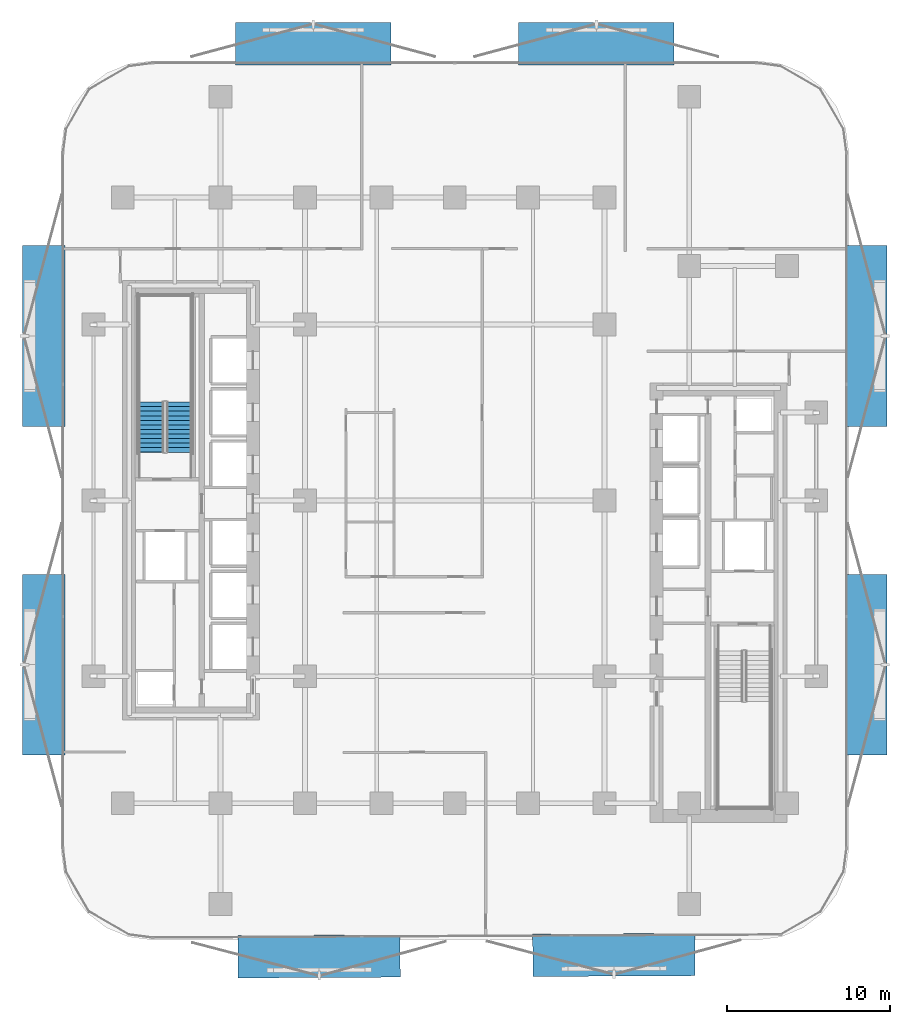
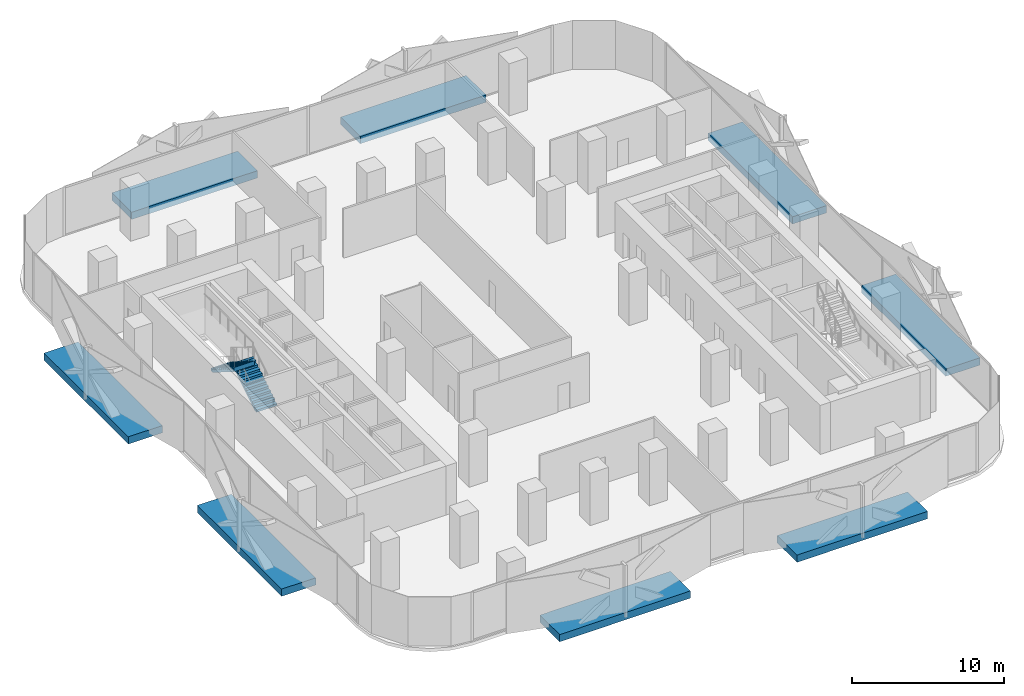
# One storey, part 6 of 15: 8 discrete accessories, 2 stair flights, 1 element without a shape of its own.
"""IFC4 building model written with IfcOpenShell, lengths in metres."""

from ifc_helpers import new_model, si_unit, direction, frame, origin, origin_2d, place, context, subcontext, project, spatial, polyline, rectangle, outline, extrude, material, layer, layer_set, type_object, element, aggregate, save


model = new_model("IFC4")

# Units and contexts
model_context = context("Model", 3, precision=1e-05, world=origin(), true_north=direction((0.0, 1.0)))
body_context = subcontext(model_context, "Body", "Model", "MODEL_VIEW")
ifc_project = project(units=[si_unit("LENGTHUNIT", "METRE"), si_unit("AREAUNIT", "SQUARE_METRE"), si_unit("VOLUMEUNIT", "CUBIC_METRE"), si_unit("PLANEANGLEUNIT", "RADIAN"), si_unit("MASSUNIT", "GRAM", prefix="KILO")], contexts=[model_context])

# Site, building, storey
site_placement = place(None, origin())
site = spatial("IfcSite", under=ifc_project, at=site_placement, CompositionType="ELEMENT")
building_placement = place(site_placement, origin())
building = spatial("IfcBuilding", under=site, at=building_placement, Name="Khairoan Windgate Tower", CompositionType="ELEMENT")
storey_placement = place(building_placement, frame((0.0, 0.0, 68.0)))
storey = spatial("IfcBuildingStorey", under=building, at=storey_placement, Name="L16", CompositionType="ELEMENT", Elevation=68.0)

# Stair, stair flights
ifc_material_1 = material(Name="Concrete C40/50", Category="concrete")
stair_type = type_object("IfcStairType", Name="Tower Core Dog-Leg Stair ST-T1 1560mm", PredefinedType="HALF_TURN_STAIR", material=ifc_material_1)
stair_placement = place(storey_placement, origin())
stair = element("IfcStair", 1, at=stair_placement, inside=storey, type_object=stair_type, Name="L16 Stair ST2", PredefinedType="HALF_TURN_STAIR")
ifc_material_2 = material(Name="Concrete C40/50", Category="concrete")
ifc_layer = layer(ifc_material_2, 0.14990234375, Name="Concrete C40/50")
ifc_layer_set = layer_set([ifc_layer], Name="Concrete C40/50")
stair_flight_type = type_object("IfcStairFlightType", Name="Tower Core Stair Flight STF-1560", PredefinedType="STRAIGHT", material=ifc_layer_set)
stair_flight_1_placement = place(storey_placement, frame((-16.929931640625, 2.9599609375, 0.0), z_axis=(0.0, 0.0, 1.0), x_axis=(0.0, 1.0, 0.0)))
stair_flight_1 = element("IfcStairFlight", 2, at=stair_flight_1_placement, type_object=stair_flight_type, Name="ST2 flight 1", NumberOfRisers=12, NumberOfTreads=11, PredefinedType="STRAIGHT", RiserHeight=0.175, TreadLength=0.28, context=body_context, shape_type="SweptSolid", body=[
    extrude(outline(polyline([(-0.00390625, 0.0), (-0.00390625, 0.175048828125), (0.0, 0.175048828125), (0.280029296875, 0.175048828125), (0.280029296875, 0.35009765625), (0.56005859375, 0.35009765625), (0.56005859375, 0.52490234375), (0.840087890625, 0.52490234375), (0.840087890625, 0.699951171875), (1.1201171875, 0.699951171875), (1.1201171875, 0.875), (1.39990234375, 0.875), (1.39990234375, 1.050048828125), (1.679931640625, 1.050048828125), (1.679931640625, 1.22509765625), (1.9599609375, 1.22509765625), (1.9599609375, 1.39990234375), (2.239990234375, 1.39990234375), (2.239990234375, 1.574951171875), (2.52001953125, 1.574951171875), (2.52001953125, 1.75), (2.800048828125, 1.75), (2.800048828125, 1.925048828125), (3.080078125, 1.925048828125), (3.080078125, 2.10009765625), (3.083984375, 2.10009765625), (3.083984375, 1.748291015625), (0.28271484375, 0.0), (-0.00390625, 0.0)])), frame((0.0, 0.780029296875, 0.0), z_axis=(0.0, -1.0, 0.0), x_axis=(1.0, 0.0, 0.0)), (0.0, 0.0, 1.0), 1.56005859375),
])
stair_flight_2_placement = place(storey_placement, frame((-18.639892578125, 6.0400390625, 2.10009765625), z_axis=(0.0, 0.0, 1.0), x_axis=(0.0, -1.0, 0.0)))
stair_flight_2 = element("IfcStairFlight", 3, at=stair_flight_2_placement, type_object=stair_flight_type, Name="ST2 flight 2", NumberOfRisers=12, NumberOfTreads=11, PredefinedType="STRAIGHT", RiserHeight=0.175, TreadLength=0.28, context=body_context, shape_type="SweptSolid", body=[
    extrude(outline(polyline([(-0.00390625, 0.0), (-0.00390625, 0.175048828125), (0.0, 0.175048828125), (0.280029296875, 0.175048828125), (0.280029296875, 0.35009765625), (0.56005859375, 0.35009765625), (0.56005859375, 0.52490234375), (0.840087890625, 0.52490234375), (0.840087890625, 0.699951171875), (1.1201171875, 0.699951171875), (1.1201171875, 0.875), (1.39990234375, 0.875), (1.39990234375, 1.050048828125), (1.679931640625, 1.050048828125), (1.679931640625, 1.22509765625), (1.9599609375, 1.22509765625), (1.9599609375, 1.39990234375), (2.239990234375, 1.39990234375), (2.239990234375, 1.574951171875), (2.52001953125, 1.574951171875), (2.52001953125, 1.75), (2.800048828125, 1.75), (2.800048828125, 1.925048828125), (3.080078125, 1.925048828125), (3.080078125, 2.10009765625), (3.083984375, 2.10009765625), (3.083984375, 1.748291015625), (0.28271484375, 0.0), (-0.00390625, 0.0)])), frame((0.0, 0.780029296875, 0.0), z_axis=(0.0, -1.0, 0.0), x_axis=(1.0, 0.0, 0.0)), (0.0, 0.0, 1.0), 1.56005859375),
])
aggregate(stair, [stair_flight_1, stair_flight_2])

# Discrete accessories
ifc_material_3 = material(Name="Steel S355", Category="steel")
discrete_accessory_type = type_object("IfcDiscreteAccessoryType", Name="Solar Screen Outrigger Slab Bracket SSB-1", PredefinedType="BRACKET", material=ifc_material_3)
for number, where, z_axis, x_axis, name in (
    (4, (9.767822265625, -27.922607421875, -0.419921875), (0.0, 0.0, 1.0), (-0.999988059021, -0.004886902454, 0.0), "L16 Solar Screen Outrigger Bracket 81"),
    (5, (-8.333984375, -28.01025390625, -0.419921875), (0.0, 0.0, 1.0), (-0.999988059021, -0.004886902454, 0.0), "L16 Solar Screen Outrigger Bracket 82"),
):
    element("IfcDiscreteAccessory", number, at=place(storey_placement, frame(where, z_axis=z_axis, x_axis=x_axis)), inside=storey, type_object=discrete_accessory_type, Name=name, PredefinedType="BRACKET", context=body_context, shape_type="SweptSolid", body=[
        extrude(rectangle(XDim=9.9560546875, YDim=2.60009765625, at=origin_2d()), origin(), (0.0, 0.0, 1.0), 0.580078125),
    ])
for number, where, z_axis, x_axis, name in (
    (6, (-25.260009765625, -10.095458984375, -0.419921875), (0.0, 0.0, 1.0), (0.0, 1.0, 0.0), "L16 Solar Screen Outrigger Bracket 83"),
    (7, (-25.260009765625, 10.095458984375, -0.419921875), (0.0, 0.0, 1.0), (0.0, 1.0, 0.0), "L16 Solar Screen Outrigger Bracket 84"),
):
    element("IfcDiscreteAccessory", number, at=place(storey_placement, frame(where, z_axis=z_axis, x_axis=x_axis)), inside=storey, type_object=discrete_accessory_type, Name=name, PredefinedType="BRACKET", context=body_context, shape_type="SweptSolid", body=[
        extrude(rectangle(XDim=11.10498046875, YDim=2.60009765625, at=origin_2d()), origin(), (0.0, 0.0, 1.0), 0.580078125),
    ])
for number, where, z_axis, x_axis, name in (
    (8, (-8.6953125, 28.06005859375, -0.419921875), (0.0, 0.0, 1.0), (1.0, 0.0, 0.0), "L16 Solar Screen Outrigger Bracket 85"),
    (9, (8.6953125, 28.06005859375, -0.419921875), (0.0, 0.0, 1.0), (1.0, 0.0, 0.0), "L16 Solar Screen Outrigger Bracket 86"),
):
    element("IfcDiscreteAccessory", number, at=place(storey_placement, frame(where, z_axis=z_axis, x_axis=x_axis)), inside=storey, type_object=discrete_accessory_type, Name=name, PredefinedType="BRACKET", context=body_context, shape_type="SweptSolid", body=[
        extrude(rectangle(XDim=9.56494140625, YDim=2.60009765625, at=origin_2d()), origin(), (0.0, 0.0, 1.0), 0.580078125),
    ])
for number, where, z_axis, x_axis, name in (
    (10, (25.260009765625, 10.095458984375, -0.419921875), (0.0, 0.0, 1.0), (0.0, -1.0, 0.0), "L16 Solar Screen Outrigger Bracket 87"),
    (11, (25.260009765625, -10.095458984375, -0.419921875), (0.0, 0.0, 1.0), (0.0, -1.0, 0.0), "L16 Solar Screen Outrigger Bracket 88"),
):
    element("IfcDiscreteAccessory", number, at=place(storey_placement, frame(where, z_axis=z_axis, x_axis=x_axis)), inside=storey, type_object=discrete_accessory_type, Name=name, PredefinedType="BRACKET", context=body_context, shape_type="SweptSolid", body=[
        extrude(rectangle(XDim=11.10498046875, YDim=2.60009765625, at=origin_2d()), origin(), (0.0, 0.0, 1.0), 0.580078125),
    ])

save(model, "model.ifc")
